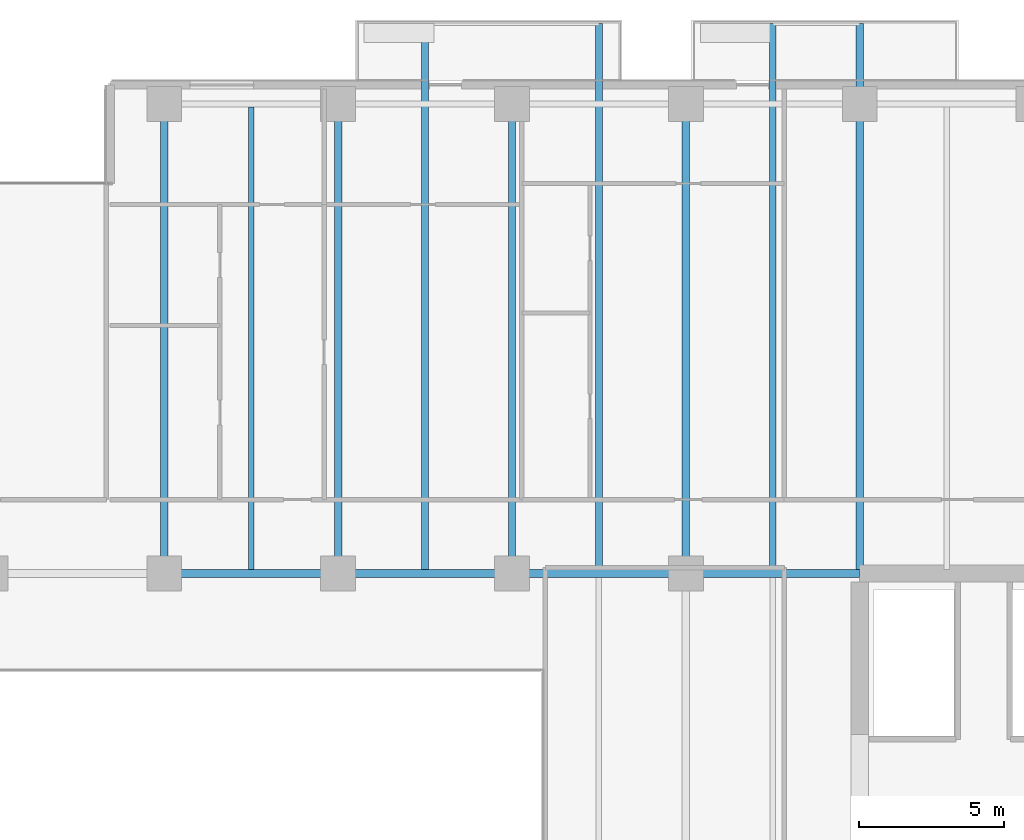
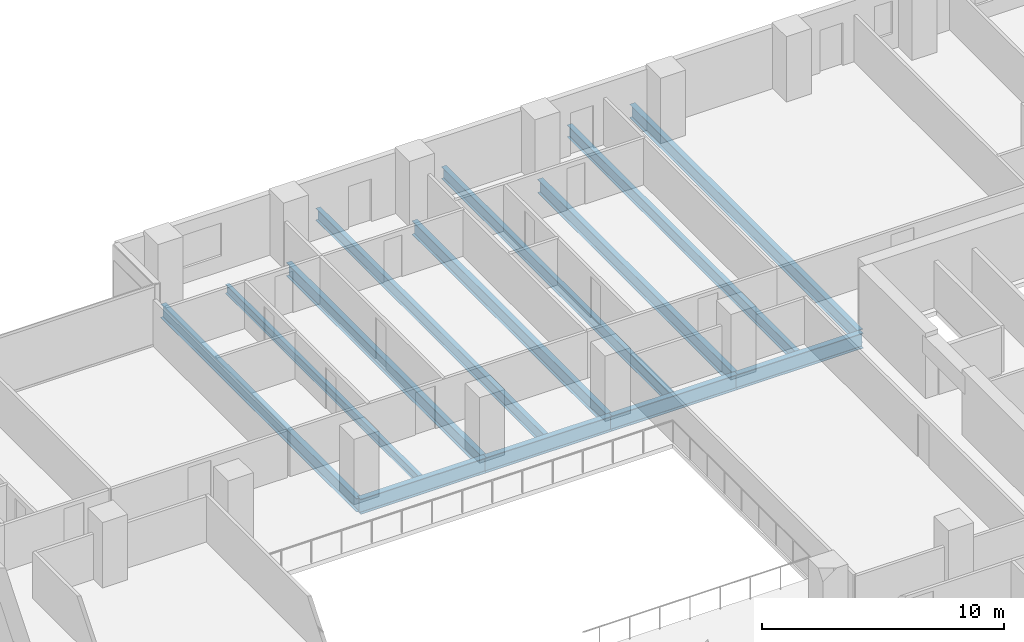
# One storey, part 7 of 26: 13 beams.
"""IFC4 building model written with IfcOpenShell, lengths in metres."""

from ifc_helpers import new_model, si_unit, direction, frame, origin, origin_2d, place, context, subcontext, project, spatial, i_section, extrude, material, material_profile, profile_set, type_object, element, save


model = new_model("IFC4")

# Units and contexts
model_context = context("Model", 3, precision=1e-05, world=origin(), true_north=direction((0.0, 1.0)))
body_context = subcontext(model_context, "Body", "Model", "MODEL_VIEW")
ifc_project = project(units=[si_unit("LENGTHUNIT", "METRE"), si_unit("AREAUNIT", "SQUARE_METRE"), si_unit("VOLUMEUNIT", "CUBIC_METRE"), si_unit("PLANEANGLEUNIT", "RADIAN"), si_unit("MASSUNIT", "GRAM", prefix="KILO")], contexts=[model_context])

# Site, building, storey
site_placement = place(None, origin())
site = spatial("IfcSite", under=ifc_project, at=site_placement, CompositionType="ELEMENT")
building_placement = place(site_placement, origin())
building = spatial("IfcBuilding", under=site, at=building_placement, Name="Tanjung Sevakor Pilgrim Tower", CompositionType="ELEMENT")
storey_placement = place(building_placement, frame((0.0, 0.0, 48.840087890625)))
storey = spatial("IfcBuildingStorey", under=building, at=storey_placement, Name="L13", CompositionType="ELEMENT", Elevation=48.840087890625)

# Beams
ifc_material_1 = material(Name="Steel S355J2", Category="steel")
ifc_material_profile_1 = material_profile(ifc_material_1, i_section(OverallWidth=0.26806640625, OverallDepth=0.769775390625, WebThickness=0.015625, FlangeThickness=0.025390625, FilletRadius=0.0166015625, at=origin_2d()))
ifc_profile_set_1 = profile_set([ifc_material_profile_1], Name="Steel S355J2")
beam_type_1 = type_object("IfcBeamType", Name="BM-B-G1-UB_762x267x197", PredefinedType="BEAM", material=ifc_profile_set_1)
for number, where, z_axis, x_axis, name in (
    (1, (54.0, 42.60009765625, -0.60498046875), (1.0, 0.0, 0.0), (0.0, 1.0, 0.0), "L13 Primary Floor Girder MAIN Y426-05"),
    (2, (60.0, 42.60009765625, -0.60498046875), (1.0, 0.0, 0.0), (0.0, 1.0, 0.0), "L13 Primary Floor Girder MAIN Y426-06"),
    (3, (66.0, 42.60009765625, -0.60498046875), (1.0, 0.0, 0.0), (0.0, 1.0, 0.0), "L13 Primary Floor Girder MAIN Y426-07"),
    (4, (72.0, 42.60009765625, -0.60498046875), (1.0, 0.0, 0.0), (0.0, 1.0, 0.0), "L13 Primary Floor Girder MAIN Y426-08"),
):
    element("IfcBeam", number, at=place(storey_placement, frame(where, z_axis=z_axis, x_axis=x_axis)), inside=storey, type_object=beam_type_1, Name=name, PredefinedType="BEAM", context=body_context, shape_type="SweptSolid", body=[
        extrude(i_section(OverallWidth=0.26806640625, OverallDepth=0.769775390625, WebThickness=0.015625, FlangeThickness=0.025390625, FilletRadius=0.0166015625, at=origin_2d()), origin(), (0.0, 0.0, 1.0), 6.0),
    ])
ifc_material_2 = material(Name="Steel S355J2", Category="steel")
ifc_material_profile_2 = material_profile(ifc_material_2, i_section(OverallWidth=0.25439453125, OverallDepth=0.6875, WebThickness=0.01318359375, FlangeThickness=0.02099609375, FilletRadius=0.01513671875, at=origin_2d()))
ifc_profile_set_2 = profile_set([ifc_material_profile_2], Name="Steel S355J2")
beam_type_2 = type_object("IfcBeamType", Name="BM-B-G2-UB_686x254x152", PredefinedType="BEAM", material=ifc_profile_set_2)
for number, where, z_axis, x_axis, name in (
    (5, (54.0, 42.60009765625, -0.56396484375), (0.0, 1.0, 0.0), (-1.0, 0.0, 0.0), "L13 MAIN Girder 014"),
    (6, (60.0, 42.60009765625, -0.56396484375), (0.0, 1.0, 0.0), (-1.0, 0.0, 0.0), "L13 MAIN Girder 018"),
    (7, (66.0, 42.60009765625, -0.56396484375), (0.0, 1.0, 0.0), (-1.0, 0.0, 0.0), "L13 MAIN Girder 020"),
    (8, (72.0, 42.60009765625, -0.56396484375), (0.0, 1.0, 0.0), (-1.0, 0.0, 0.0), "L13 MAIN Girder 024"),
):
    element("IfcBeam", number, at=place(storey_placement, frame(where, z_axis=z_axis, x_axis=x_axis)), inside=storey, type_object=beam_type_2, Name=name, PredefinedType="BEAM", context=body_context, shape_type="SweptSolid", body=[
        extrude(i_section(OverallWidth=0.25439453125, OverallDepth=0.6875, WebThickness=0.01318359375, FlangeThickness=0.02099609375, FilletRadius=0.01513671875, at=origin_2d()), origin(), (0.0, 0.0, 1.0), 16.199951171875),
    ])
beam_1_placement = place(storey_placement, frame((78.0, 42.73388671875, -0.56396484375), z_axis=(0.0, 1.0, 0.0), x_axis=(-1.0, 0.0, 0.0)))
element("IfcBeam", 9, at=beam_1_placement, inside=storey, type_object=beam_type_2, Name="L13 Balcony Cantilever Beam MAIN-N3-2", PredefinedType="BEAM", context=body_context, shape_type="SweptSolid", body=[
    extrude(i_section(OverallWidth=0.25439453125, OverallDepth=0.6875, WebThickness=0.01318359375, FlangeThickness=0.02099609375, FilletRadius=0.01513671875, at=origin_2d()), origin(), (0.0, 0.0, 1.0), 18.84619140625),
])
ifc_material_3 = material(Name="Steel S355J2", Category="steel")
ifc_material_profile_3 = material_profile(ifc_material_3, i_section(OverallWidth=0.22900390625, OverallDepth=0.6123046875, WebThickness=0.011962890625, FlangeThickness=0.01953125, FilletRadius=0.0126953125, at=origin_2d()))
ifc_profile_set_3 = profile_set([ifc_material_profile_3], Name="Steel S355J2")
beam_type_3 = type_object("IfcBeamType", Name="BM-B-G4-UB_610x229x125", PredefinedType="BEAM", material=ifc_profile_set_3)
for number, where, z_axis, x_axis, name in (
    (10, (63.0, 42.73388671875, -0.526123046875), (0.0, 1.0, 0.0), (-1.0, 0.0, 0.0), "L13 Balcony Cantilever Beam MAIN-N2-1"),
    (11, (69.0, 42.73388671875, -0.526123046875), (0.0, 1.0, 0.0), (-1.0, 0.0, 0.0), "L13 Balcony Cantilever Beam MAIN-N2-2"),
    (12, (75.0, 42.73388671875, -0.526123046875), (0.0, 1.0, 0.0), (-1.0, 0.0, 0.0), "L13 Balcony Cantilever Beam MAIN-N3-1"),
):
    element("IfcBeam", number, at=place(storey_placement, frame(where, z_axis=z_axis, x_axis=x_axis)), inside=storey, type_object=beam_type_3, Name=name, PredefinedType="BEAM", context=body_context, shape_type="SweptSolid", body=[
        extrude(i_section(OverallWidth=0.22900390625, OverallDepth=0.6123046875, WebThickness=0.011962890625, FlangeThickness=0.01953125, FilletRadius=0.0126953125, at=origin_2d()), origin(), (0.0, 0.0, 1.0), 18.84619140625),
    ])
ifc_material_4 = material(Name="Steel S355J2", Category="steel")
ifc_material_profile_4 = material_profile(ifc_material_4, i_section(OverallWidth=0.19140625, OverallDepth=0.4599609375, WebThickness=0.010009765625, FlangeThickness=0.01611328125, FilletRadius=0.01025390625, at=origin_2d()))
ifc_profile_set_4 = profile_set([ifc_material_profile_4], Name="Steel S355J2")
beam_type_4 = type_object("IfcBeamType", Name="BM-B-J2-UB_457x191x82", PredefinedType="JOIST", material=ifc_profile_set_4)
beam_2_placement = place(storey_placement, frame((57.0, 42.73388671875, -0.4501953125), z_axis=(0.0, 1.0, 0.0), x_axis=(-1.0, 0.0, 0.0)))
element("IfcBeam", 13, at=beam_2_placement, inside=storey, type_object=beam_type_4, Name="L13 MAIN Joist 016", PredefinedType="JOIST", context=body_context, shape_type="SweptSolid", body=[
    extrude(i_section(OverallWidth=0.19140625, OverallDepth=0.4599609375, WebThickness=0.010009765625, FlangeThickness=0.01611328125, FilletRadius=0.01025390625, at=origin_2d()), origin(), (0.0, 0.0, 1.0), 15.966064453125),
])

save(model, "model.ifc")
